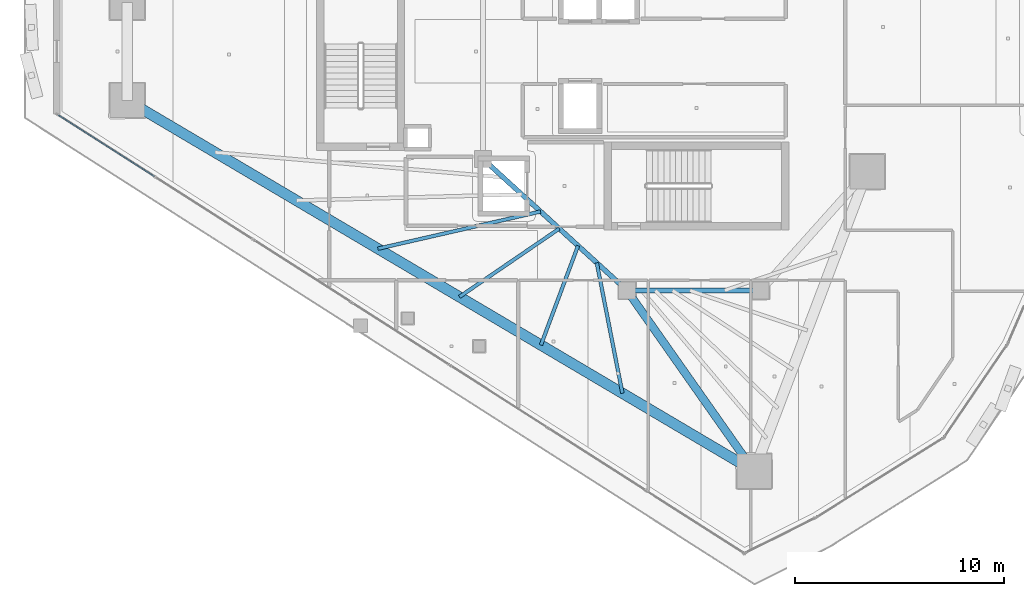
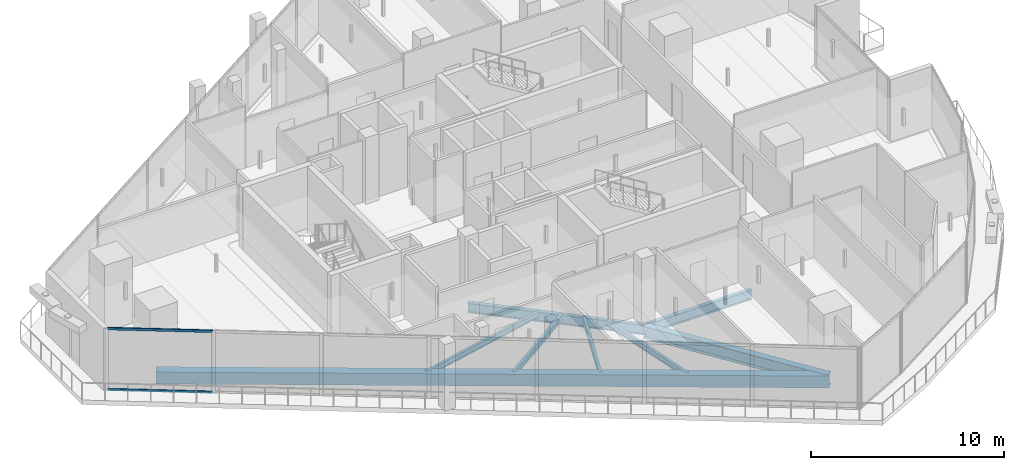
# One storey, part 5 of 36: 8 beams, 2 members, 1 element without a shape of its own.
"""IFC4 building model written with IfcOpenShell, lengths in metres."""

from ifc_helpers import new_model, si_unit, direction, frame, origin, origin_2d, place, context, subcontext, project, spatial, rectangle, hollow_rectangle, i_section, extrude, material, layer, layer_set, material_profile, profile_set, type_object, element, aggregate, save


model = new_model("IFC4")

# Units and contexts
model_context = context("Model", 3, precision=1e-05, world=origin(), true_north=direction((0.0, 1.0)))
body_context = subcontext(model_context, "Body", "Model", "MODEL_VIEW")
ifc_project = project(units=[si_unit("LENGTHUNIT", "METRE"), si_unit("AREAUNIT", "SQUARE_METRE"), si_unit("VOLUMEUNIT", "CUBIC_METRE"), si_unit("PLANEANGLEUNIT", "RADIAN"), si_unit("MASSUNIT", "GRAM", prefix="KILO")], contexts=[model_context])

# Site, building, storey
site_placement = place(None, origin())
site = spatial("IfcSite", under=ifc_project, at=site_placement, CompositionType="ELEMENT")
building_placement = place(site_placement, origin())
building = spatial("IfcBuilding", under=site, at=building_placement, Name="Qorvath Tower", CompositionType="ELEMENT")
storey_placement = place(building_placement, frame((0.0, 0.0, 272.39990234375)))
storey = spatial("IfcBuildingStorey", under=building, at=storey_placement, Name="L63", CompositionType="ELEMENT", Elevation=272.39990234375)

# Beams
ifc_material_1 = material(Name="Steel ASTM A992 Grade 50", Category="steel")
ifc_material_profile_1 = material_profile(ifc_material_1, i_section(OverallWidth=0.381103515625, OverallDepth=0.77294921875, WebThickness=0.0166015625, FlangeThickness=0.027099609375, FilletRadius=0.01904296875, at=origin_2d()), Name="W30x173")
ifc_profile_set_1 = profile_set([ifc_material_profile_1], Name="Steel ASTM A992 Grade 50")
beam_type_1 = type_object("IfcBeamType", Name="BM-FG3", PredefinedType="BEAM", material=ifc_profile_set_1)
beam_1_placement = place(storey_placement, frame((-23.60009765625, -11.449951171875, -0.67626953125), z_axis=(0.575274974004, -0.81796008722, 0.0), x_axis=(0.81796008722, 0.575274974004, 0.0)))
element("IfcBeam", 1, at=beam_1_placement, inside=storey, type_object=beam_type_1, Name="Radial Floor Girder CC4-MC3 L63", PredefinedType="BEAM", context=body_context, shape_type="SweptSolid", body=[
    extrude(i_section(OverallWidth=0.381103515625, OverallDepth=0.77294921875, WebThickness=0.0166015625, FlangeThickness=0.027099609375, FilletRadius=0.01904296875, at=origin_2d()), origin(), (0.0, 0.0, 1.0), 10.5771484375),
])
ifc_material_2 = material(Name="Steel ASTM A992 Grade 50", Category="steel")
ifc_material_profile_2 = material_profile(ifc_material_2, i_section(OverallWidth=0.22998046875, OverallDepth=0.616943359375, WebThickness=0.01318359375, FlangeThickness=0.022216796875, FilletRadius=0.014892578125, at=origin_2d()), Name="W24x94")
ifc_profile_set_2 = profile_set([ifc_material_profile_2], Name="Steel ASTM A992 Grade 50")
beam_type_2 = type_object("IfcBeamType", Name="BM-FG6", PredefinedType="BEAM", material=ifc_profile_set_2)
beam_2_placement = place(storey_placement, frame((-17.199951171875, -11.449951171875, -0.598388671875), z_axis=(-1.0, 0.0, 0.0), x_axis=(0.0, -1.0, 0.0)))
element("IfcBeam", 2, at=beam_2_placement, inside=storey, type_object=beam_type_2, Name="Core Ring Girder CC3-CC4 L63", PredefinedType="BEAM", context=body_context, shape_type="SweptSolid", body=[
    extrude(i_section(OverallWidth=0.22998046875, OverallDepth=0.616943359375, WebThickness=0.01318359375, FlangeThickness=0.022216796875, FilletRadius=0.014892578125, at=origin_2d()), origin(), (0.0, 0.0, 1.0), 6.400146484375),
])
beam_3_placement = place(storey_placement, frame((-23.60009765625, -11.449951171875, -0.598388671875), z_axis=(-0.73847813985, 0.6742774184, 0.0), x_axis=(-0.6742774184, -0.73847813985, 0.0)))
element("IfcBeam", 3, at=beam_3_placement, inside=storey, type_object=beam_type_2, Name="Core Ring Girder CC4-CC6 L63", PredefinedType="BEAM", context=body_context, shape_type="SweptSolid", body=[
    extrude(i_section(OverallWidth=0.22998046875, OverallDepth=0.616943359375, WebThickness=0.01318359375, FlangeThickness=0.022216796875, FilletRadius=0.014892578125, at=origin_2d()), origin(), (0.0, 0.0, 1.0), 9.343505859375),
])
ifc_material_3 = material(Name="Steel ASTM A992 Grade 50", Category="steel")
ifc_material_profile_3 = material_profile(ifc_material_3, i_section(OverallWidth=0.1708984375, OverallDepth=0.35107421875, WebThickness=0.0068359375, FlangeThickness=0.009765625, FilletRadius=0.010009765625, at=origin_2d()), Name="W14x30")
ifc_profile_set_3 = profile_set([ifc_material_profile_3], Name="Steel ASTM A992 Grade 50")
beam_type_3 = type_object("IfcBeamType", Name="BM-FJ4", PredefinedType="JOIST", material=ifc_profile_set_3)
beam_4_placement = place(storey_placement, frame((-27.739990234375, -7.669921875, -0.46533203125), z_axis=(-0.974852627195, -0.222850522212, 0.0), x_axis=(0.222850522212, -0.974852627195, 0.0)))
element("IfcBeam", 4, at=beam_4_placement, inside=storey, type_object=beam_type_3, Name="Composite Floor Joist SW3 L63", PredefinedType="JOIST", context=body_context, shape_type="SweptSolid", body=[
    extrude(i_section(OverallWidth=0.1708984375, OverallDepth=0.35107421875, WebThickness=0.0068359375, FlangeThickness=0.009765625, FilletRadius=0.010009765625, at=origin_2d()), origin(), (0.0, 0.0, 1.0), 7.98974609375),
])
beam_5_placement = place(storey_placement, frame((-26.843017578125, -8.489013671875, -0.46533203125), z_axis=(-0.82557592702, -0.564291049658, 0.0), x_axis=(0.564291049658, -0.82557592702, 0.0)))
element("IfcBeam", 5, at=beam_5_placement, inside=storey, type_object=beam_type_3, Name="Composite Floor Joist SW4 L63", PredefinedType="JOIST", context=body_context, shape_type="SweptSolid", body=[
    extrude(i_section(OverallWidth=0.1708984375, OverallDepth=0.35107421875, WebThickness=0.0068359375, FlangeThickness=0.009765625, FilletRadius=0.010009765625, at=origin_2d()), origin(), (0.0, 0.0, 1.0), 5.793212890625),
])
beam_6_placement = place(storey_placement, frame((-25.946044921875, -9.30810546875, -0.46533203125), z_axis=(-0.349858795354, -0.936802446257, 0.0), x_axis=(0.936802446257, -0.349858795354, 0.0)))
element("IfcBeam", 6, at=beam_6_placement, inside=storey, type_object=beam_type_3, Name="Composite Floor Joist SW5 L63", PredefinedType="JOIST", context=body_context, shape_type="SweptSolid", body=[
    extrude(i_section(OverallWidth=0.1708984375, OverallDepth=0.35107421875, WebThickness=0.0068359375, FlangeThickness=0.009765625, FilletRadius=0.010009765625, at=origin_2d()), origin(), (0.0, 0.0, 1.0), 5.078857421875),
])
beam_7_placement = place(storey_placement, frame((-25.049072265625, -10.126953125, -0.46533203125), z_axis=(0.193040016911, -0.981190884523, 0.0), x_axis=(0.981190884523, 0.193040016911, 0.0)))
element("IfcBeam", 7, at=beam_7_placement, inside=storey, type_object=beam_type_3, Name="Composite Floor Joist SW6 L63", PredefinedType="JOIST", context=body_context, shape_type="SweptSolid", body=[
    extrude(i_section(OverallWidth=0.1708984375, OverallDepth=0.35107421875, WebThickness=0.0068359375, FlangeThickness=0.009765625, FilletRadius=0.010009765625, at=origin_2d()), origin(), (0.0, 0.0, 1.0), 6.366455078125),
])
ifc_material_4 = material(Name="Concrete C45/55", Category="concrete")
ifc_material_profile_4 = material_profile(ifc_material_4, rectangle(XDim=0.5, YDim=0.75, at=origin_2d()), Name="RCB 750x500")
ifc_profile_set_4 = profile_set([ifc_material_profile_4], Name="Concrete C45/55")
beam_type_4 = type_object("IfcBeamType", Name="BM-RCB3", PredefinedType="SPANDREL", material=ifc_profile_set_4)
beam_8_placement = place(storey_placement, frame((-47.53759765625, -2.349609375, -0.664794921875), z_axis=(0.860781425392, -0.50897479083, 0.0), x_axis=(0.50897479083, 0.860781425392, 0.0)))
element("IfcBeam", 8, at=beam_8_placement, inside=storey, type_object=beam_type_4, Name="Perimeter Loggia Frame Beam MC2-MC3 L63", PredefinedType="SPANDREL", context=body_context, shape_type="SweptSolid", body=[
    extrude(rectangle(XDim=0.5, YDim=0.75, at=origin_2d()), origin(), (0.0, 0.0, 1.0), 34.8779296875),
])

# Curtain wall, members
ifc_material_5 = material(Name="Anodised aluminium and triple low-E glass", Category="aluminium")
ifc_layer = layer(ifc_material_5, 0.179931640625)
ifc_layer_set = layer_set([ifc_layer], Name="CW-SYS-4")
curtain_wall_type = type_object("IfcCurtainWallType", Name="CW-SYS-4", PredefinedType="NOTDEFINED", material=ifc_layer_set)
curtain_wall_placement = place(storey_placement, origin())
curtain_wall = element("IfcCurtainWall", 9, at=curtain_wall_placement, inside=storey, type_object=curtain_wall_type, Name="Curtain Wall CW-4 CW-T-L63-2.1", PredefinedType="NOTDEFINED")
ifc_material_6 = material(Name="Anodised aluminium 6063-T6", Category="aluminium")
ifc_material_profile_5 = material_profile(ifc_material_6, hollow_rectangle(XDim=0.06494140625, YDim=0.159912109375, WallThickness=0.00341796875, InnerFilletRadius=0.00341796875, OuterFilletRadius=0.007080078125, at=origin_2d()), Name="CWT 160x65")
ifc_profile_set_5 = profile_set([ifc_material_profile_5], Name="Anodised aluminium 6063-T6")
member_type = type_object("IfcMemberType", Name="CWT-160", PredefinedType="USERDEFINED", material=ifc_profile_set_5)
member_1_placement = place(storey_placement, frame((-50.843017578125, -3.04638671875, 0.032470703125), z_axis=(0.842608486836, -0.538526636215, 0.0), x_axis=(0.538526636215, 0.842608486836, 0.0)))
member_1 = element("IfcMember", 10, at=member_1_placement, type_object=member_type, Name="CW-4 transom 1.1", ObjectType="TRANSOM", PredefinedType="USERDEFINED", context=body_context, shape_type="SweptSolid", body=[
    extrude(hollow_rectangle(XDim=0.06494140625, YDim=0.159912109375, WallThickness=0.00341796875, InnerFilletRadius=0.00341796875, OuterFilletRadius=0.007080078125, at=origin_2d()), origin(), (0.0, 0.0, 1.0), 5.46923828125),
])
member_2_placement = place(storey_placement, frame((-50.843017578125, -3.04638671875, 3.877685546875), z_axis=(0.842608486836, -0.538526636215, 0.0), x_axis=(0.538526636215, 0.842608486836, 0.0)))
member_2 = element("IfcMember", 11, at=member_2_placement, type_object=member_type, Name="CW-4 transom 1.2", ObjectType="TRANSOM", PredefinedType="USERDEFINED", context=body_context, shape_type="SweptSolid", body=[
    extrude(hollow_rectangle(XDim=0.06494140625, YDim=0.159912109375, WallThickness=0.00341796875, InnerFilletRadius=0.00341796875, OuterFilletRadius=0.007080078125, at=origin_2d()), origin(), (0.0, 0.0, 1.0), 5.46923828125),
])
aggregate(curtain_wall, [member_1, member_2])

save(model, "model.ifc")
